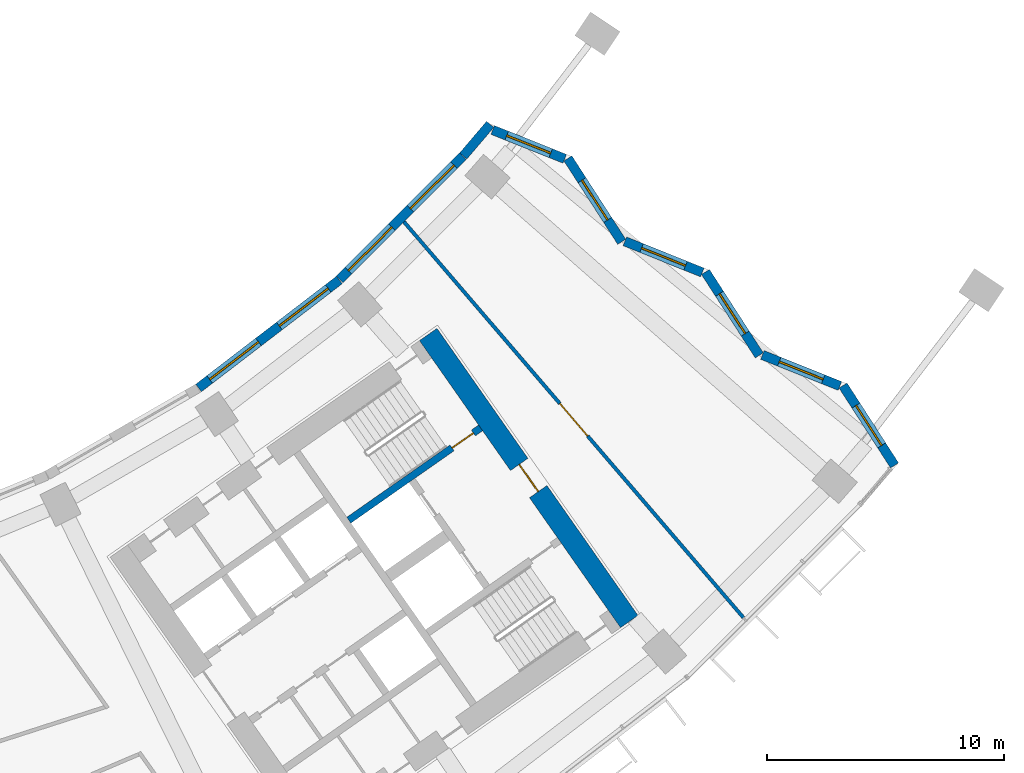
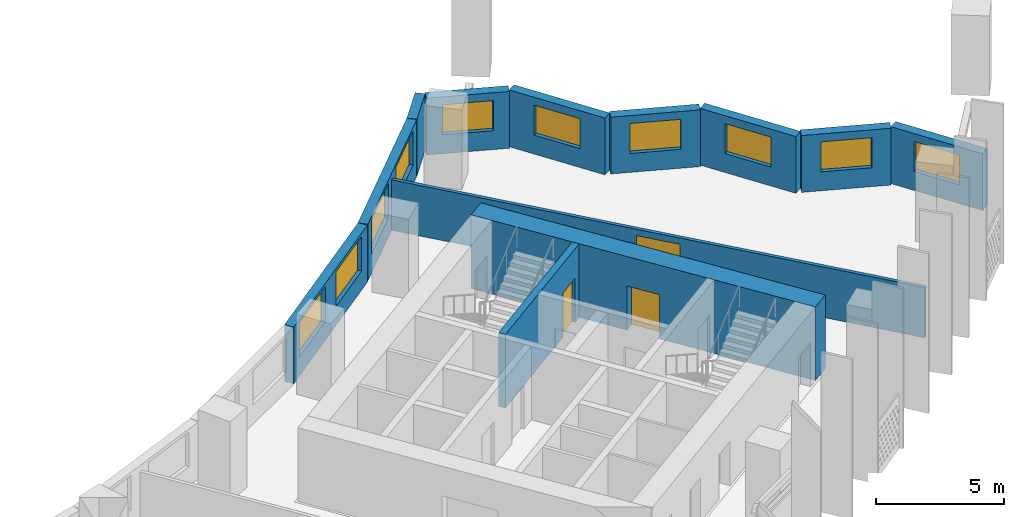
# One storey, part 8 of 30: 12 walls, 10 windows, 3 doors, 13 openings.
"""IFC4 building model written with IfcOpenShell, lengths in metres."""

from ifc_helpers import new_model, si_unit, direction, frame, frame_2d, origin, place, context, subcontext, project, spatial, rectangle, extrude, material, layer, layer_set, type_object, element, fill, save


model = new_model("IFC4")

# Units and contexts
model_context = context("Model", 3, precision=1e-05, world=origin(), true_north=direction((0.0, 1.0)))
body_context = subcontext(model_context, "Body", "Model", "MODEL_VIEW")
ifc_project = project(units=[si_unit("LENGTHUNIT", "METRE"), si_unit("AREAUNIT", "SQUARE_METRE"), si_unit("VOLUMEUNIT", "CUBIC_METRE"), si_unit("PLANEANGLEUNIT", "RADIAN"), si_unit("MASSUNIT", "GRAM", prefix="KILO")], contexts=[model_context])

# Site, building, storey
site_placement = place(None, origin())
site = spatial("IfcSite", under=ifc_project, at=site_placement, CompositionType="ELEMENT")
building_placement = place(site_placement, origin())
building = spatial("IfcBuilding", under=site, at=building_placement, Name="Qamariyya Broadcast Tower", CompositionType="ELEMENT")
storey_placement = place(building_placement, frame((0.0, 0.0, 110.10009765625)))
storey = spatial("IfcBuildingStorey", under=building, at=storey_placement, Name="L24", CompositionType="ELEMENT", Elevation=110.10009765625)

# Wall, opening, door
ifc_material_1 = material(Name="Concrete C70/85", Category="concrete")
ifc_layer_1 = layer(ifc_material_1, 0.89990234375)
ifc_layer_set_1 = layer_set([ifc_layer_1], Name="Core wall 900 mm Concrete C70/85")
wall_type_1 = type_object("IfcWallType", Name="Core wall 900 mm Concrete C70/85", PredefinedType="SHEAR", material=ifc_layer_set_1)
wall_1_placement = place(storey_placement, frame((49.778564453125, -57.191162109375, 0.0), z_axis=(0.0, 0.0, 1.0), x_axis=(-0.573577477574, 0.819151315216, 0.0)))
wall_1 = element("IfcWall", 1, at=wall_1_placement, inside=storey, type_object=wall_type_1, Name="k-E-L24-WH", PredefinedType="SHEAR", context=body_context, shape_type="SweptSolid", body=[
    extrude(rectangle(XDim=14.800048828125, YDim=0.89990234375, at=frame_2d((7.39990234375, 0.0))), origin(), (0.0, 0.0, 1.0), 3.5),
])
opening_1_placement = place(wall_1_placement, frame((6.699951171875, 0.0, 0.0)))
opening_1 = element("IfcOpeningElement", 2, at=opening_1_placement, cuts=wall_1, Name="Opening KD2-E1", PredefinedType="OPENING", context=body_context, shape_type="SweptSolid", body=[
    extrude(rectangle(XDim=1.39990234375, YDim=2.10009765625, at=frame_2d((0.699951171875, 1.050048828125))), frame((0.0, 0.4599609375, 0.0), z_axis=(0.0, -1.0, 0.0), x_axis=(1.0, 0.0, 0.0)), (0.0, 0.0, 1.0), 0.919921875),
])
ifc_material_2 = material(Name="Steel fire-resisting door leaf", Category="steel")
door_type_1 = type_object("IfcDoorType", Name="Fire-fighting lobby door KD2", OperationType="DOUBLE_DOOR_SINGLE_SWING", PredefinedType="DOOR", material=ifc_material_2)
door_1_placement = place(opening_1_placement, origin())
door_1 = element("IfcDoor", 3, at=door_1_placement, inside=storey, type_object=door_type_1, Name="k-E-L24-WH-D16", OperationType="DOUBLE_DOOR_SINGLE_SWING", OverallHeight=2.10009765625, OverallWidth=1.39990234375, PredefinedType="DOOR", context=body_context, shape_type="SweptSolid", body=[
    extrude(rectangle(XDim=1.39990234375, YDim=2.10009765625, at=frame_2d((0.699951171875, 1.050048828125))), frame((0.0, 0.02490234375, 0.0), z_axis=(0.0, -1.0, 0.0), x_axis=(1.0, 0.0, 0.0)), (0.0, 0.0, 1.0), 0.050048828125),
])
fill(opening_1, door_1)

ifc_material_3 = material(Name="Gypsum board partition")
ifc_layer_2 = layer(ifc_material_3, 0.14990234375)
ifc_layer_set_2 = layer_set([ifc_layer_2], Name="Corridor partition 150 EI 60")
wall_type_2 = type_object("IfcWallType", Name="Corridor partition 150 EI 60", PredefinedType="PARTITIONING", material=ifc_layer_set_2)
wall_2_placement = place(storey_placement, frame((40.267578125, -40.310791015625, 0.0), z_axis=(0.0, 0.0, 1.0), x_axis=(0.650987681244, -0.759088294514, 0.0)))
wall_2 = element("IfcWall", 4, at=wall_2_placement, inside=storey, type_object=wall_type_2, Name="Partition L24-041", PredefinedType="PARTITIONING", context=body_context, shape_type="SweptSolid", body=[
    extrude(rectangle(XDim=22.017822265625, YDim=0.14990234375, at=frame_2d((11.0087890625, 0.0))), origin(), (0.0, 0.0, 1.0), 2.39990234375),
])
opening_2_placement = place(wall_2_placement, frame((10.10888671875, 0.0, 0.0)))
opening_2 = element("IfcOpeningElement", 5, at=opening_2_placement, cuts=wall_2, Name="Opening L24-D19", PredefinedType="OPENING", context=body_context, shape_type="SweptSolid", body=[
    extrude(rectangle(XDim=1.800048828125, YDim=2.10009765625, at=frame_2d((0.89990234375, 1.050048828125))), frame((0.0, 0.0849609375, 0.0), z_axis=(0.0, -1.0, 0.0), x_axis=(1.0, 0.0, 0.0)), (0.0, 0.0, 1.0), 0.169921875),
])
ifc_material_4 = material(Name="Timber fire door leaf", Category="wood")
door_type_2 = type_object("IfcDoorType", Name="Double fire door 1800 x 2100 FD60", OperationType="NOTDEFINED", PredefinedType="DOOR", material=ifc_material_4)
door_2_placement = place(opening_2_placement, origin())
door_2 = element("IfcDoor", 6, at=door_2_placement, inside=storey, type_object=door_type_2, Name="Door L24-D19", OperationType="DOUBLE_DOOR_SINGLE_SWING", OverallHeight=2.10009765625, OverallWidth=1.800048828125, PredefinedType="DOOR", context=body_context, shape_type="SweptSolid", body=[
    extrude(rectangle(XDim=1.800048828125, YDim=2.10009765625, at=frame_2d((0.89990234375, 1.050048828125))), frame((0.0, 0.02490234375, 0.0), z_axis=(0.0, -1.0, 0.0), x_axis=(1.0, 0.0, 0.0)), (0.0, 0.0, 1.0), 0.050048828125),
])
fill(opening_2, door_2)

ifc_material_5 = material(Name="Concrete C60/75", Category="concrete")
ifc_layer_3 = layer(ifc_material_5, 0.300048828125)
ifc_layer_set_3 = layer_set([ifc_layer_3], Name="Lift shaft wall 300 mm Concrete C60/75")
wall_type_3 = type_object("IfcWallType", Name="Lift shaft wall 300 mm Concrete C60/75", PredefinedType="SOLIDWALL", material=ifc_layer_set_3)
wall_3_placement = place(storey_placement, frame((37.935546875, -52.90966796875, 0.0), z_axis=(0.0, 0.0, 1.0), x_axis=(0.819147518138, 0.57358290031, 0.0)))
wall_3 = element("IfcWall", 7, at=wall_3_placement, inside=storey, type_object=wall_type_3, Name="k-E-L24-NW", PredefinedType="SOLIDWALL", context=body_context, shape_type="SweptSolid", body=[
    extrude(rectangle(XDim=6.79541015625, YDim=0.300048828125, at=frame_2d((3.397705078125, 0.0))), origin(), (0.0, 0.0, 1.0), 3.5),
])
opening_3_placement = place(wall_3_placement, frame((5.3203125, 0.0, 0.0)))
opening_3 = element("IfcOpeningElement", 8, at=opening_3_placement, cuts=wall_3, Name="Opening KD1-E2", PredefinedType="OPENING", context=body_context, shape_type="SweptSolid", body=[
    extrude(rectangle(XDim=1.10009765625, YDim=2.10009765625, at=frame_2d((0.550048828125, 1.050048828125))), frame((0.0, 0.159912109375, 0.0), z_axis=(0.0, -1.0, 0.0), x_axis=(1.0, 0.0, 0.0)), (0.0, 0.0, 1.0), 0.320068359375),
])
door_type_3 = type_object("IfcDoorType", Name="Stair door KD1", OperationType="SINGLE_SWING_LEFT", PredefinedType="DOOR", material=ifc_material_2)
door_3_placement = place(opening_3_placement, origin())
door_3 = element("IfcDoor", 9, at=door_3_placement, inside=storey, type_object=door_type_3, Name="k-E-L24-NW-D18", OperationType="SINGLE_SWING_RIGHT", OverallHeight=2.10009765625, OverallWidth=1.10009765625, PredefinedType="DOOR", context=body_context, shape_type="SweptSolid", body=[
    extrude(rectangle(XDim=1.10009765625, YDim=2.10009765625, at=frame_2d((0.550048828125, 1.050048828125))), frame((0.0, 0.02490234375, 0.0), z_axis=(0.0, -1.0, 0.0), x_axis=(1.0, 0.0, 0.0)), (0.0, 0.0, 1.0), 0.050048828125),
])
fill(opening_3, door_3)

# Wall, opening, window
ifc_material_6 = material(Name="Terracotta", Category="masonry")
ifc_layer_4 = layer(ifc_material_6, 0.39990234375)
ifc_layer_set_4 = layer_set([ifc_layer_4], Name="Terracotta clad wall 400")
wall_type_4 = type_object("IfcWallType", Name="Terracotta clad wall 400", PredefinedType="SOLIDWALL", material=ifc_layer_set_4)
wall_4_placement = place(storey_placement, frame((60.982666015625, -50.596923828125, 0.0), z_axis=(0.0, 0.0, 1.0), x_axis=(-0.54211578542, 0.840303799348, 0.0)))
wall_4 = element("IfcWall", 10, at=wall_4_placement, inside=storey, type_object=wall_type_4, Name="e-wl-L24-capE0", PredefinedType="SOLIDWALL", context=body_context, shape_type="SweptSolid", body=[
    extrude(rectangle(XDim=4.013427734375, YDim=0.39990234375, at=frame_2d((2.0068359375, 0.0))), origin(), (0.0, 0.0, 1.0), 2.699951171875),
])
opening_4_placement = place(wall_4_placement, frame((1.0068359375, 0.0, 0.89990234375)))
opening_4 = element("IfcOpeningElement", 11, at=opening_4_placement, cuts=wall_4, Name="Opening W4", PredefinedType="OPENING", context=body_context, shape_type="SweptSolid", body=[
    extrude(rectangle(XDim=2.0, YDim=1.425048828125, at=frame_2d((1.0, 0.71240234375))), frame((0.0, 0.2099609375, 0.0), z_axis=(0.0, -1.0, 0.0), x_axis=(1.0, 0.0, 0.0)), (0.0, 0.0, 1.0), 0.419921875),
])
ifc_material_7 = material(Name="Clear low-e double glazed unit in aluminium frame", Category="aluminium")
window_type_1 = type_object("IfcWindowType", Name="Horn bay window 2000 x 1425", PartitioningType="SINGLE_PANEL", PredefinedType="WINDOW", material=ifc_material_7)
window_1_placement = place(opening_4_placement, origin())
window_1 = element("IfcWindow", 12, at=window_1_placement, inside=storey, type_object=window_type_1, Name="e-w-L24-capE0", OverallHeight=1.425048828125, OverallWidth=2.0, PartitioningType="SINGLE_PANEL", PredefinedType="WINDOW", context=body_context, shape_type="SweptSolid", body=[
    extrude(rectangle(XDim=2.0, YDim=1.425048828125, at=frame_2d((1.0, 0.71240234375))), frame((0.0, 0.030029296875, 0.0), z_axis=(0.0, -1.0, 0.0), x_axis=(1.0, 0.0, 0.0)), (0.0, 0.0, 1.0), 0.06005859375),
])
fill(opening_4, window_1)

wall_5_placement = place(storey_placement, frame((58.675048828125, -47.2431640625, 0.0), z_axis=(0.0, 0.0, 1.0), x_axis=(-0.928271207759, 0.371903972615, 0.0)))
wall_5 = element("IfcWall", 13, at=wall_5_placement, inside=storey, type_object=wall_type_4, Name="e-wl-L24-capE1", PredefinedType="SOLIDWALL", context=body_context, shape_type="SweptSolid", body=[
    extrude(rectangle(XDim=3.52587890625, YDim=0.39990234375, at=frame_2d((1.762939453125, 0.0))), origin(), (0.0, 0.0, 1.0), 2.699951171875),
])
opening_5_placement = place(wall_5_placement, frame((0.762939453125, 0.0, 0.89990234375)))
opening_5 = element("IfcOpeningElement", 14, at=opening_5_placement, cuts=wall_5, Name="Opening W4", PredefinedType="OPENING", context=body_context, shape_type="SweptSolid", body=[
    extrude(rectangle(XDim=2.0, YDim=1.425048828125, at=frame_2d((1.0, 0.71240234375))), frame((0.0, 0.2099609375, 0.0), z_axis=(0.0, -1.0, 0.0), x_axis=(1.0, 0.0, 0.0)), (0.0, 0.0, 1.0), 0.419921875),
])
window_2_placement = place(opening_5_placement, origin())
window_2 = element("IfcWindow", 15, at=window_2_placement, inside=storey, type_object=window_type_1, Name="e-w-L24-capE1", OverallHeight=1.425048828125, OverallWidth=2.0, PartitioningType="SINGLE_PANEL", PredefinedType="WINDOW", context=body_context, shape_type="SweptSolid", body=[
    extrude(rectangle(XDim=2.0, YDim=1.425048828125, at=frame_2d((1.0, 0.71240234375))), frame((0.0, 0.030029296875, 0.0), z_axis=(0.0, -1.0, 0.0), x_axis=(1.0, 0.0, 0.0)), (0.0, 0.0, 1.0), 0.06005859375),
])
fill(opening_5, window_2)

wall_6_placement = place(storey_placement, frame((55.270263671875, -45.95068359375, 0.0), z_axis=(0.0, 0.0, 1.0), x_axis=(-0.542169306212, 0.840269268391, 0.0)))
wall_6 = element("IfcWall", 16, at=wall_6_placement, inside=storey, type_object=wall_type_4, Name="e-wl-L24-capE2", PredefinedType="SOLIDWALL", context=body_context, shape_type="SweptSolid", body=[
    extrude(rectangle(XDim=4.193115234375, YDim=0.39990234375, at=frame_2d((2.0966796875, 0.0))), origin(), (0.0, 0.0, 1.0), 2.699951171875),
])
opening_6_placement = place(wall_6_placement, frame((1.0966796875, 0.0, 0.89990234375)))
opening_6 = element("IfcOpeningElement", 17, at=opening_6_placement, cuts=wall_6, Name="Opening W4", PredefinedType="OPENING", context=body_context, shape_type="SweptSolid", body=[
    extrude(rectangle(XDim=2.0, YDim=1.425048828125, at=frame_2d((1.0, 0.71240234375))), frame((0.0, 0.2099609375, 0.0), z_axis=(0.0, -1.0, 0.0), x_axis=(1.0, 0.0, 0.0)), (0.0, 0.0, 1.0), 0.419921875),
])
window_3_placement = place(opening_6_placement, origin())
window_3 = element("IfcWindow", 18, at=window_3_placement, inside=storey, type_object=window_type_1, Name="e-w-L24-capE2", OverallHeight=1.425048828125, OverallWidth=2.0, PartitioningType="SINGLE_PANEL", PredefinedType="WINDOW", context=body_context, shape_type="SweptSolid", body=[
    extrude(rectangle(XDim=2.0, YDim=1.425048828125, at=frame_2d((1.0, 0.71240234375))), frame((0.0, 0.030029296875, 0.0), z_axis=(0.0, -1.0, 0.0), x_axis=(1.0, 0.0, 0.0)), (0.0, 0.0, 1.0), 0.06005859375),
])
fill(opening_6, window_3)

wall_7_placement = place(storey_placement, frame((52.864990234375, -42.446044921875, 0.0), z_axis=(0.0, 0.0, 1.0), x_axis=(-0.928304620276, 0.371820564217, 0.0)))
wall_7 = element("IfcWall", 19, at=wall_7_placement, inside=storey, type_object=wall_type_4, Name="e-wl-L24-capE3", PredefinedType="SOLIDWALL", context=body_context, shape_type="SweptSolid", body=[
    extrude(rectangle(XDim=3.524658203125, YDim=0.39990234375, at=frame_2d((1.76220703125, 0.0))), origin(), (0.0, 0.0, 1.0), 2.699951171875),
])
opening_7_placement = place(wall_7_placement, frame((0.762451171875, 0.0, 0.89990234375)))
opening_7 = element("IfcOpeningElement", 20, at=opening_7_placement, cuts=wall_7, Name="Opening W4", PredefinedType="OPENING", context=body_context, shape_type="SweptSolid", body=[
    extrude(rectangle(XDim=2.0, YDim=1.425048828125, at=frame_2d((1.0, 0.71240234375))), frame((0.0, 0.2099609375, 0.0), z_axis=(0.0, -1.0, 0.0), x_axis=(1.0, 0.0, 0.0)), (0.0, 0.0, 1.0), 0.419921875),
])
window_4_placement = place(opening_7_placement, origin())
window_4 = element("IfcWindow", 21, at=window_4_placement, inside=storey, type_object=window_type_1, Name="e-w-L24-capE3", OverallHeight=1.425048828125, OverallWidth=2.0, PartitioningType="SINGLE_PANEL", PredefinedType="WINDOW", context=body_context, shape_type="SweptSolid", body=[
    extrude(rectangle(XDim=2.0, YDim=1.425048828125, at=frame_2d((1.0, 0.71240234375))), frame((0.0, 0.030029296875, 0.0), z_axis=(0.0, -1.0, 0.0), x_axis=(1.0, 0.0, 0.0)), (0.0, 0.0, 1.0), 0.06005859375),
])
fill(opening_7, window_4)

wall_8_placement = place(storey_placement, frame((49.461181640625, -41.154541015625, 0.0), z_axis=(0.0, 0.0, 1.0), x_axis=(-0.542268710941, 0.840205120869, 0.0)))
wall_8 = element("IfcWall", 22, at=wall_8_placement, inside=storey, type_object=wall_type_4, Name="e-wl-L24-capE4", PredefinedType="SOLIDWALL", context=body_context, shape_type="SweptSolid", body=[
    extrude(rectangle(XDim=4.19482421875, YDim=0.39990234375, at=frame_2d((2.097412109375, 0.0))), origin(), (0.0, 0.0, 1.0), 2.699951171875),
])
opening_8_placement = place(wall_8_placement, frame((1.09716796875, 0.0, 0.89990234375)))
opening_8 = element("IfcOpeningElement", 23, at=opening_8_placement, cuts=wall_8, Name="Opening W4", PredefinedType="OPENING", context=body_context, shape_type="SweptSolid", body=[
    extrude(rectangle(XDim=2.0, YDim=1.425048828125, at=frame_2d((1.0, 0.71240234375))), frame((0.0, 0.2099609375, 0.0), z_axis=(0.0, -1.0, 0.0), x_axis=(1.0, 0.0, 0.0)), (0.0, 0.0, 1.0), 0.419921875),
])
window_5_placement = place(opening_8_placement, origin())
window_5 = element("IfcWindow", 24, at=window_5_placement, inside=storey, type_object=window_type_1, Name="e-w-L24-capE4", OverallHeight=1.425048828125, OverallWidth=2.0, PartitioningType="SINGLE_PANEL", PredefinedType="WINDOW", context=body_context, shape_type="SweptSolid", body=[
    extrude(rectangle(XDim=2.0, YDim=1.425048828125, at=frame_2d((1.0, 0.71240234375))), frame((0.0, 0.030029296875, 0.0), z_axis=(0.0, -1.0, 0.0), x_axis=(1.0, 0.0, 0.0)), (0.0, 0.0, 1.0), 0.06005859375),
])
fill(opening_8, window_5)

wall_9_placement = place(storey_placement, frame((47.0546875, -37.649169921875, 0.0), z_axis=(0.0, 0.0, 1.0), x_axis=(-0.92833782493, 0.371737653198, 0.0)))
wall_9 = element("IfcWall", 25, at=wall_9_placement, inside=storey, type_object=wall_type_4, Name="e-wl-L24-capE5", PredefinedType="SOLIDWALL", context=body_context, shape_type="SweptSolid", body=[
    extrude(rectangle(XDim=3.275146484375, YDim=0.39990234375, at=frame_2d((1.6376953125, 0.0))), origin(), (0.0, 0.0, 1.0), 2.699951171875),
])
opening_9_placement = place(wall_9_placement, frame((0.6376953125, 0.0, 0.89990234375)))
opening_9 = element("IfcOpeningElement", 26, at=opening_9_placement, cuts=wall_9, Name="Opening W4", PredefinedType="OPENING", context=body_context, shape_type="SweptSolid", body=[
    extrude(rectangle(XDim=2.0, YDim=1.425048828125, at=frame_2d((1.0, 0.71240234375))), frame((0.0, 0.2099609375, 0.0), z_axis=(0.0, -1.0, 0.0), x_axis=(1.0, 0.0, 0.0)), (0.0, 0.0, 1.0), 0.419921875),
])
window_6_placement = place(opening_9_placement, origin())
window_6 = element("IfcWindow", 27, at=window_6_placement, inside=storey, type_object=window_type_1, Name="e-w-L24-capE5", OverallHeight=1.425048828125, OverallWidth=2.0, PartitioningType="SINGLE_PANEL", PredefinedType="WINDOW", context=body_context, shape_type="SweptSolid", body=[
    extrude(rectangle(XDim=2.0, YDim=1.425048828125, at=frame_2d((1.0, 0.71240234375))), frame((0.0, 0.030029296875, 0.0), z_axis=(0.0, -1.0, 0.0), x_axis=(1.0, 0.0, 0.0)), (0.0, 0.0, 1.0), 0.06005859375),
])
fill(opening_9, window_6)

# Wall, openings, windows
wall_10_placement = place(storey_placement, frame((37.536865234375, -42.764892578125, 0.0), z_axis=(0.0, 0.0, 1.0), x_axis=(-0.793363487476, -0.608748204711, 0.0)))
wall_10 = element("IfcWall", 28, at=wall_10_placement, inside=storey, type_object=wall_type_4, Name="e-wl-L24-in140", PredefinedType="SOLIDWALL", context=body_context, shape_type="SweptSolid", body=[
    extrude(rectangle(XDim=7.492919921875, YDim=0.39990234375, at=frame_2d((3.74658203125, 0.0))), origin(), (0.0, 0.0, 1.0), 2.699951171875),
])
opening_10_placement = place(wall_10_placement, frame((4.300537109375, 0.0, 0.89990234375)))
opening_10 = element("IfcOpeningElement", 29, at=opening_10_placement, cuts=wall_10, Name="Opening W1", PredefinedType="OPENING", context=body_context, shape_type="SweptSolid", body=[
    extrude(rectangle(XDim=2.60009765625, YDim=1.64990234375, at=frame_2d((1.300048828125, 0.824951171875))), frame((0.0, 0.2099609375, 0.0), z_axis=(0.0, -1.0, 0.0), x_axis=(1.0, 0.0, 0.0)), (0.0, 0.0, 1.0), 0.419921875),
])
opening_11_placement = place(wall_10_placement, frame((0.59228515625, 0.0, 0.89990234375)))
opening_11 = element("IfcOpeningElement", 30, at=opening_11_placement, cuts=wall_10, Name="Opening W1", PredefinedType="OPENING", context=body_context, shape_type="SweptSolid", body=[
    extrude(rectangle(XDim=2.60009765625, YDim=1.64990234375, at=frame_2d((1.300048828125, 0.824951171875))), frame((0.0, 0.2099609375, 0.0), z_axis=(0.0, -1.0, 0.0), x_axis=(1.0, 0.0, 0.0)), (0.0, 0.0, 1.0), 0.419921875),
])
window_type_2 = type_object("IfcWindowType", Name="Ribbon window 2600 x 1650", PartitioningType="SINGLE_PANEL", PredefinedType="WINDOW", material=ifc_material_7)
window_7_placement = place(opening_10_placement, origin())
window_7 = element("IfcWindow", 31, at=window_7_placement, inside=storey, type_object=window_type_2, Name="e-w-L24-in14-0", OverallHeight=1.64990234375, OverallWidth=2.60009765625, PartitioningType="SINGLE_PANEL", PredefinedType="WINDOW", context=body_context, shape_type="SweptSolid", body=[
    extrude(rectangle(XDim=2.60009765625, YDim=1.64990234375, at=frame_2d((1.300048828125, 0.824951171875))), frame((0.0, 0.030029296875, 0.0), z_axis=(0.0, -1.0, 0.0), x_axis=(1.0, 0.0, 0.0)), (0.0, 0.0, 1.0), 0.06005859375),
])
fill(opening_10, window_7)
window_8_placement = place(opening_11_placement, origin())
window_8 = element("IfcWindow", 32, at=window_8_placement, inside=storey, type_object=window_type_2, Name="e-w-L24-in14-1", OverallHeight=1.64990234375, OverallWidth=2.60009765625, PartitioningType="SINGLE_PANEL", PredefinedType="WINDOW", context=body_context, shape_type="SweptSolid", body=[
    extrude(rectangle(XDim=2.60009765625, YDim=1.64990234375, at=frame_2d((1.300048828125, 0.824951171875))), frame((0.0, 0.030029296875, 0.0), z_axis=(0.0, -1.0, 0.0), x_axis=(1.0, 0.0, 0.0)), (0.0, 0.0, 1.0), 0.06005859375),
])
fill(opening_11, window_8)

wall_11_placement = place(storey_placement, frame((42.754638671875, -37.54248046875, 0.0), z_axis=(0.0, 0.0, 1.0), x_axis=(-0.707106781187, -0.707106781187, 0.0)))
wall_11 = element("IfcWall", 33, at=wall_11_placement, inside=storey, type_object=wall_type_4, Name="e-wl-L24-in150", PredefinedType="SOLIDWALL", context=body_context, shape_type="SweptSolid", body=[
    extrude(rectangle(XDim=7.356201171875, YDim=0.39990234375, at=frame_2d((3.67822265625, 0.0))), origin(), (0.0, 0.0, 1.0), 2.699951171875),
])
opening_12_placement = place(wall_11_placement, frame((4.23974609375, 0.0, 0.89990234375)))
opening_12 = element("IfcOpeningElement", 34, at=opening_12_placement, cuts=wall_11, Name="Opening W1", PredefinedType="OPENING", context=body_context, shape_type="SweptSolid", body=[
    extrude(rectangle(XDim=2.60009765625, YDim=1.64990234375, at=frame_2d((1.300048828125, 0.824951171875))), frame((0.0, 0.2099609375, 0.0), z_axis=(0.0, -1.0, 0.0), x_axis=(1.0, 0.0, 0.0)), (0.0, 0.0, 1.0), 0.419921875),
])
opening_13_placement = place(wall_11_placement, frame((0.53125, 0.0, 0.89990234375)))
opening_13 = element("IfcOpeningElement", 35, at=opening_13_placement, cuts=wall_11, Name="Opening W1", PredefinedType="OPENING", context=body_context, shape_type="SweptSolid", body=[
    extrude(rectangle(XDim=2.60009765625, YDim=1.64990234375, at=frame_2d((1.300048828125, 0.824951171875))), frame((0.0, 0.2099609375, 0.0), z_axis=(0.0, -1.0, 0.0), x_axis=(1.0, 0.0, 0.0)), (0.0, 0.0, 1.0), 0.419921875),
])
window_9_placement = place(opening_12_placement, origin())
window_9 = element("IfcWindow", 36, at=window_9_placement, inside=storey, type_object=window_type_2, Name="e-w-L24-in15-0", OverallHeight=1.64990234375, OverallWidth=2.60009765625, PartitioningType="SINGLE_PANEL", PredefinedType="WINDOW", context=body_context, shape_type="SweptSolid", body=[
    extrude(rectangle(XDim=2.60009765625, YDim=1.64990234375, at=frame_2d((1.300048828125, 0.824951171875))), frame((0.0, 0.030029296875, 0.0), z_axis=(0.0, -1.0, 0.0), x_axis=(1.0, 0.0, 0.0)), (0.0, 0.0, 1.0), 0.06005859375),
])
fill(opening_12, window_9)
window_10_placement = place(opening_13_placement, origin())
window_10 = element("IfcWindow", 37, at=window_10_placement, inside=storey, type_object=window_type_2, Name="e-w-L24-in15-1", OverallHeight=1.64990234375, OverallWidth=2.60009765625, PartitioningType="SINGLE_PANEL", PredefinedType="WINDOW", context=body_context, shape_type="SweptSolid", body=[
    extrude(rectangle(XDim=2.60009765625, YDim=1.64990234375, at=frame_2d((1.300048828125, 0.824951171875))), frame((0.0, 0.030029296875, 0.0), z_axis=(0.0, -1.0, 0.0), x_axis=(1.0, 0.0, 0.0)), (0.0, 0.0, 1.0), 0.06005859375),
])
fill(opening_13, window_10)

# Wall
wall_12_placement = place(storey_placement, frame((43.9052734375, -36.194091796875, 0.0), z_axis=(0.0, 0.0, 1.0), x_axis=(-0.648132347146, -0.761527714914, 0.0)))
element("IfcWall", 38, at=wall_12_placement, inside=storey, type_object=wall_type_4, Name="e-wl-L24-in160", PredefinedType="SOLIDWALL", context=body_context, shape_type="SweptSolid", body=[
    extrude(rectangle(XDim=1.7568359375, YDim=0.39990234375, at=frame_2d((0.87841796875, 0.0))), origin(), (0.0, 0.0, 1.0), 2.699951171875),
])

save(model, "model.ifc")
